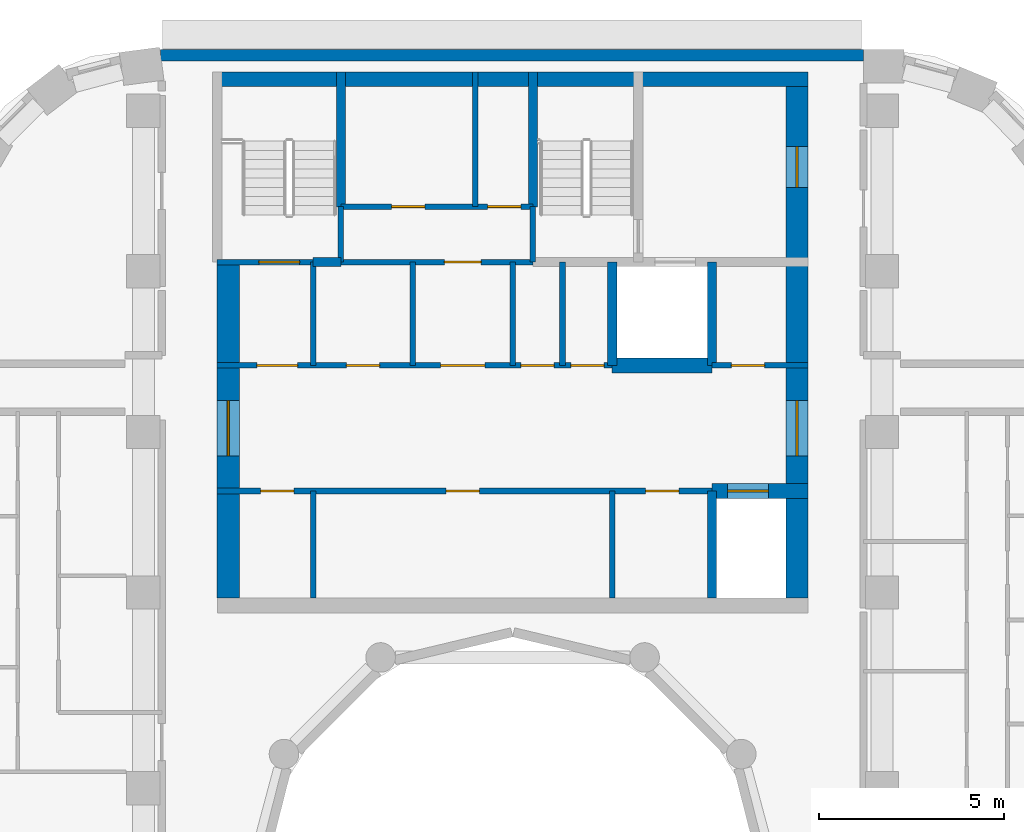
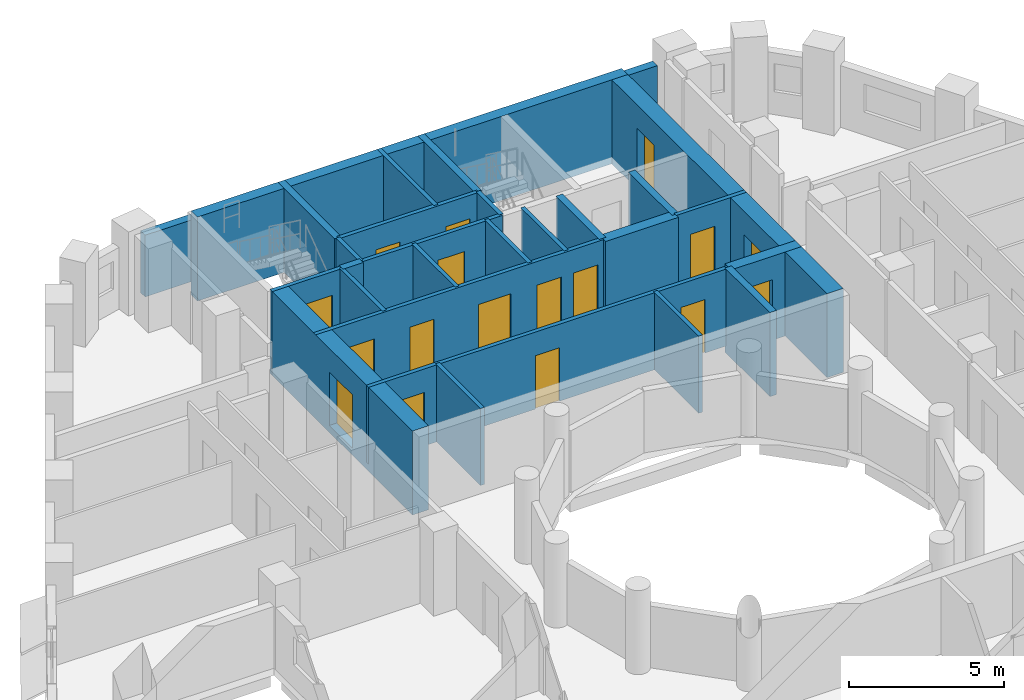
# One storey, part 7 of 12: 27 walls, 17 doors, 17 openings.
"""IFC4 building model written with IfcOpenShell, lengths in metres."""

from ifc_helpers import new_model, si_unit, direction, frame, frame_2d, origin, place, context, subcontext, project, spatial, rectangle, extrude, material, layer, layer_set, type_object, element, fill, save


model = new_model("IFC4")

# Units and contexts
model_context = context("Model", 3, precision=1e-05, world=origin(), true_north=direction((0.0, 1.0)))
body_context = subcontext(model_context, "Body", "Model", "MODEL_VIEW")
ifc_project = project(units=[si_unit("LENGTHUNIT", "METRE"), si_unit("AREAUNIT", "SQUARE_METRE"), si_unit("VOLUMEUNIT", "CUBIC_METRE"), si_unit("PLANEANGLEUNIT", "RADIAN"), si_unit("MASSUNIT", "GRAM", prefix="KILO")], contexts=[model_context])

# Site, building, storey
site_placement = place(None, origin())
site = spatial("IfcSite", under=ifc_project, at=site_placement, CompositionType="ELEMENT")
building_placement = place(site_placement, origin())
building = spatial("IfcBuilding", under=site, at=building_placement, Name="Nakaniwa Court", CompositionType="ELEMENT")
storey_placement = place(building_placement, frame((0.0, 0.0, 232.800048828125)))
storey = spatial("IfcBuildingStorey", under=building, at=storey_placement, Name="L60", CompositionType="ELEMENT", Elevation=232.800048828125)

# Walls
ifc_material_1 = material(Name="Charcoal ceramic cladding")
ifc_layer_1 = layer(ifc_material_1, 0.02, Name="Ceramic cladding")
ifc_material_2 = material(Name="Ventilated air cavity")
ifc_layer_2 = layer(ifc_material_2, 0.04, ventilated=True, Name="Ventilated cavity")
ifc_material_3 = material(Name="Mineral wool insulation")
ifc_layer_3 = layer(ifc_material_3, 0.1, Name="Insulation")
ifc_material_4 = material(Name="Cement bonded sheathing board")
ifc_layer_4 = layer(ifc_material_4, 0.012, Name="Sheathing")
ifc_material_5 = material(Name="Cold-formed galvanised stud frame with mineral wool infill")
ifc_layer_5 = layer(ifc_material_5, 0.1, Name="Stud frame")
ifc_material_6 = material(Name="Fire-rated gypsum plasterboard lining")
ifc_layer_6 = layer(ifc_material_6, 0.028, Name="Lining")
ifc_layer_set_1 = layer_set([ifc_layer_1, ifc_layer_2, ifc_layer_3, ifc_layer_4, ifc_layer_5, ifc_layer_6], Name="Charcoal ceramic faced external wall system")
wall_type_1 = type_object("IfcWallType", Name="Black ceramic faced external wall 300", PredefinedType="SOLIDWALL", material=ifc_layer_set_1)
wall_1_placement = place(storey_placement, frame((89.499267578125, 102.5, 0.0), z_axis=(0.0, 0.0, 1.0), x_axis=(-1.0, 0.0, 0.0)))
element("IfcWall", 1, at=wall_1_placement, inside=storey, type_object=wall_type_1, Name="L60 external wall 08", PredefinedType="SOLIDWALL", context=body_context, shape_type="SweptSolid", body=[
    extrude(rectangle(XDim=19.033447265625, YDim=0.300048828125, at=frame_2d((9.5166015625, 0.0))), origin(), (0.0, 0.0, 1.0), 2.425048828125),
])
ifc_material_7 = material(Name="Blockwork partition", Category="masonry")
ifc_layer_7 = layer(ifc_material_7, 0.14990234375)
ifc_layer_set_2 = layer_set([ifc_layer_7], Name="Blockwork partition")
wall_type_2 = type_object("IfcWallType", Name="Blockwork partition 150", PredefinedType="PARTITIONING", material=ifc_layer_set_2)
wall_2_placement = place(storey_placement, frame((74.60009765625, 87.800048828125, 0.0), z_axis=(0.0, 0.0, 1.0), x_axis=(0.0, 1.0, 0.0)))
element("IfcWall", 2, at=wall_2_placement, inside=storey, type_object=wall_type_2, Name="Partition PW-001", PredefinedType="PARTITIONING", context=body_context, shape_type="SweptSolid", body=[
    extrude(rectangle(XDim=2.89990234375, YDim=0.14990234375, at=frame_2d((1.449951171875, 0.0))), origin(), (0.0, 0.0, 1.0), 3.02490234375),
])
wall_3_placement = place(storey_placement, frame((74.60009765625, 94.10009765625, 0.0), z_axis=(0.0, 0.0, 1.0), x_axis=(0.0, 1.0, 0.0)))
element("IfcWall", 3, at=wall_3_placement, inside=storey, type_object=wall_type_2, Name="Partition PW-002", PredefinedType="PARTITIONING", context=body_context, shape_type="SweptSolid", body=[
    extrude(rectangle(XDim=2.7998046875, YDim=0.14990234375, at=frame_2d((1.39990234375, 0.0))), origin(), (0.0, 0.0, 1.0), 3.02490234375),
])

# Wall, openings, doors
wall_4_placement = place(storey_placement, frame((85.39990234375, 90.699951171875, 0.0), z_axis=(0.0, 0.0, 1.0), x_axis=(-1.0, 0.0, 0.0)))
wall_4 = element("IfcWall", 4, at=wall_4_placement, inside=storey, type_object=wall_type_2, Name="Partition PW-003", PredefinedType="PARTITIONING", context=body_context, shape_type="SweptSolid", body=[
    extrude(rectangle(XDim=13.39990234375, YDim=0.14990234375, at=frame_2d((6.699951171875, 0.0))), origin(), (0.0, 0.0, 1.0), 3.02490234375),
])
opening_1_placement = place(wall_4_placement, frame((11.324951171875, 0.0, 0.0)))
opening_1 = element("IfcOpeningElement", 5, at=opening_1_placement, cuts=wall_4, Name="Opening D-05-01", PredefinedType="OPENING", context=body_context, shape_type="SweptSolid", body=[
    extrude(rectangle(XDim=0.89990234375, YDim=2.10009765625, at=frame_2d((0.449951171875, 1.050048828125))), frame((0.0, 0.0849609375, 0.0), z_axis=(0.0, -1.0, 0.0), x_axis=(1.0, 0.0, 0.0)), (0.0, 0.0, 1.0), 0.169921875),
])
opening_2_placement = place(wall_4_placement, frame((6.300048828125, 0.0, 0.0)))
opening_2 = element("IfcOpeningElement", 6, at=opening_2_placement, cuts=wall_4, Name="Opening D-05-02", PredefinedType="OPENING", context=body_context, shape_type="SweptSolid", body=[
    extrude(rectangle(XDim=0.89990234375, YDim=2.10009765625, at=frame_2d((0.449951171875, 1.050048828125))), frame((0.0, 0.0849609375, 0.0), z_axis=(0.0, -1.0, 0.0), x_axis=(1.0, 0.0, 0.0)), (0.0, 0.0, 1.0), 0.169921875),
])
opening_3_placement = place(wall_4_placement, frame((0.89990234375, 0.0, 0.0)))
opening_3 = element("IfcOpeningElement", 7, at=opening_3_placement, cuts=wall_4, Name="Opening D-05-03", PredefinedType="OPENING", context=body_context, shape_type="SweptSolid", body=[
    extrude(rectangle(XDim=0.89990234375, YDim=2.10009765625, at=frame_2d((0.449951171875, 1.050048828125))), frame((0.0, 0.0849609375, 0.0), z_axis=(0.0, -1.0, 0.0), x_axis=(1.0, 0.0, 0.0)), (0.0, 0.0, 1.0), 0.169921875),
])
ifc_material_8 = material(Name="Fire rated steel door set", Category="steel")
door_type_1 = type_object("IfcDoorType", Name="Service room door 900", OperationType="NOTDEFINED", PredefinedType="DOOR", material=ifc_material_8)
door_1_placement = place(opening_1_placement, origin())
door_1 = element("IfcDoor", 8, at=door_1_placement, inside=storey, type_object=door_type_1, Name="Door D-05-01 L60-001", OperationType="SINGLE_SWING_RIGHT", OverallHeight=2.10009765625, OverallWidth=0.89990234375, PredefinedType="DOOR", context=body_context, shape_type="SweptSolid", body=[
    extrude(rectangle(XDim=0.89990234375, YDim=2.10009765625, at=frame_2d((0.449951171875, 1.050048828125))), frame((0.0, 0.02490234375, 0.0), z_axis=(0.0, -1.0, 0.0), x_axis=(1.0, 0.0, 0.0)), (0.0, 0.0, 1.0), 0.050048828125),
])
fill(opening_1, door_1)
door_2_placement = place(opening_2_placement, origin())
door_2 = element("IfcDoor", 9, at=door_2_placement, inside=storey, type_object=door_type_1, Name="Door D-05-02 L60-002", OperationType="SINGLE_SWING_LEFT", OverallHeight=2.10009765625, OverallWidth=0.89990234375, PredefinedType="DOOR", context=body_context, shape_type="SweptSolid", body=[
    extrude(rectangle(XDim=0.89990234375, YDim=2.10009765625, at=frame_2d((0.449951171875, 1.050048828125))), frame((0.0, 0.02490234375, 0.0), z_axis=(0.0, -1.0, 0.0), x_axis=(1.0, 0.0, 0.0)), (0.0, 0.0, 1.0), 0.050048828125),
])
fill(opening_2, door_2)
door_3_placement = place(opening_3_placement, origin())
door_3 = element("IfcDoor", 10, at=door_3_placement, inside=storey, type_object=door_type_1, Name="Door D-05-03 L60-003", OperationType="SINGLE_SWING_RIGHT", OverallHeight=2.10009765625, OverallWidth=0.89990234375, PredefinedType="DOOR", context=body_context, shape_type="SweptSolid", body=[
    extrude(rectangle(XDim=0.89990234375, YDim=2.10009765625, at=frame_2d((0.449951171875, 1.050048828125))), frame((0.0, 0.02490234375, 0.0), z_axis=(0.0, -1.0, 0.0), x_axis=(1.0, 0.0, 0.0)), (0.0, 0.0, 1.0), 0.050048828125),
])
fill(opening_3, door_3)

# Wall
wall_5_placement = place(storey_placement, frame((82.699951171875, 87.800048828125, 0.0), z_axis=(0.0, 0.0, 1.0), x_axis=(0.0, 1.0, 0.0)))
element("IfcWall", 11, at=wall_5_placement, inside=storey, type_object=wall_type_2, Name="Partition PW-009", PredefinedType="PARTITIONING", context=body_context, shape_type="SweptSolid", body=[
    extrude(rectangle(XDim=2.89990234375, YDim=0.14990234375, at=frame_2d((1.449951171875, 0.0))), origin(), (0.0, 0.0, 1.0), 3.02490234375),
])

# Wall, openings, doors
wall_6_placement = place(storey_placement, frame((72.0, 94.10009765625, 0.0), z_axis=(0.0, 0.0, 1.0), x_axis=(1.0, 0.0, 0.0)))
wall_6 = element("IfcWall", 12, at=wall_6_placement, inside=storey, type_object=wall_type_2, Name="Partition PW-010", PredefinedType="PARTITIONING", context=body_context, shape_type="SweptSolid", body=[
    extrude(rectangle(XDim=10.702880859375, YDim=0.14990234375, at=frame_2d((5.3515625, 0.0))), origin(), (0.0, 0.0, 1.0), 3.02490234375),
])
opening_4_placement = place(wall_6_placement, frame((1.074951171875, 0.0, 0.0)))
opening_4 = element("IfcOpeningElement", 13, at=opening_4_placement, cuts=wall_6, Name="Opening D-08-01", PredefinedType="OPENING", context=body_context, shape_type="SweptSolid", body=[
    extrude(rectangle(XDim=1.10009765625, YDim=2.10009765625, at=frame_2d((0.550048828125, 1.050048828125))), frame((0.0, 0.0849609375, 0.0), z_axis=(0.0, -1.0, 0.0), x_axis=(1.0, 0.0, 0.0)), (0.0, 0.0, 1.0), 0.169921875),
])
opening_5_placement = place(wall_6_placement, frame((3.5, 0.0, 0.0)))
opening_5 = element("IfcOpeningElement", 14, at=opening_5_placement, cuts=wall_6, Name="Opening D-05-04", PredefinedType="OPENING", context=body_context, shape_type="SweptSolid", body=[
    extrude(rectangle(XDim=0.89990234375, YDim=2.10009765625, at=frame_2d((0.449951171875, 1.050048828125))), frame((0.0, 0.0849609375, 0.0), z_axis=(0.0, -1.0, 0.0), x_axis=(1.0, 0.0, 0.0)), (0.0, 0.0, 1.0), 0.169921875),
])
opening_6_placement = place(wall_6_placement, frame((6.050048828125, 0.0, 0.0)))
opening_6 = element("IfcOpeningElement", 15, at=opening_6_placement, cuts=wall_6, Name="Opening D-06-01", PredefinedType="OPENING", context=body_context, shape_type="SweptSolid", body=[
    extrude(rectangle(XDim=1.199951171875, YDim=2.10009765625, at=frame_2d((0.60009765625, 1.050048828125))), frame((0.0, 0.0849609375, 0.0), z_axis=(0.0, -1.0, 0.0), x_axis=(1.0, 0.0, 0.0)), (0.0, 0.0, 1.0), 0.169921875),
])
opening_7_placement = place(wall_6_placement, frame((8.22509765625, 0.0, 0.0)))
opening_7 = element("IfcOpeningElement", 16, at=opening_7_placement, cuts=wall_6, Name="Opening D-05-05", PredefinedType="OPENING", context=body_context, shape_type="SweptSolid", body=[
    extrude(rectangle(XDim=0.89990234375, YDim=2.10009765625, at=frame_2d((0.449951171875, 1.050048828125))), frame((0.0, 0.0849609375, 0.0), z_axis=(0.0, -1.0, 0.0), x_axis=(1.0, 0.0, 0.0)), (0.0, 0.0, 1.0), 0.169921875),
])
opening_8_placement = place(wall_6_placement, frame((9.574951171875, 0.0, 0.0)))
opening_8 = element("IfcOpeningElement", 17, at=opening_8_placement, cuts=wall_6, Name="Opening D-05-06", PredefinedType="OPENING", context=body_context, shape_type="SweptSolid", body=[
    extrude(rectangle(XDim=0.89990234375, YDim=2.10009765625, at=frame_2d((0.449951171875, 1.050048828125))), frame((0.0, 0.0849609375, 0.0), z_axis=(0.0, -1.0, 0.0), x_axis=(1.0, 0.0, 0.0)), (0.0, 0.0, 1.0), 0.169921875),
])
ifc_material_9 = material(Name="Fire rated steel double door set", Category="steel")
door_type_2 = type_object("IfcDoorType", Name="Service passage double door 1200", OperationType="NOTDEFINED", PredefinedType="DOOR", material=ifc_material_9)
door_4_placement = place(opening_6_placement, origin())
door_4 = element("IfcDoor", 18, at=door_4_placement, inside=storey, type_object=door_type_2, Name="Door D-06-01 L60-006", OperationType="DOUBLE_DOOR_SINGLE_SWING", OverallHeight=2.10009765625, OverallWidth=1.199951171875, PredefinedType="DOOR", context=body_context, shape_type="SweptSolid", body=[
    extrude(rectangle(XDim=1.199951171875, YDim=2.10009765625, at=frame_2d((0.60009765625, 1.050048828125))), frame((0.0, 0.02490234375, 0.0), z_axis=(0.0, -1.0, 0.0), x_axis=(1.0, 0.0, 0.0)), (0.0, 0.0, 1.0), 0.050048828125),
])
fill(opening_6, door_4)
door_5_placement = place(opening_5_placement, origin())
door_5 = element("IfcDoor", 19, at=door_5_placement, inside=storey, type_object=door_type_1, Name="Door D-05-04 L60-005", OperationType="SINGLE_SWING_RIGHT", OverallHeight=2.10009765625, OverallWidth=0.89990234375, PredefinedType="DOOR", context=body_context, shape_type="SweptSolid", body=[
    extrude(rectangle(XDim=0.89990234375, YDim=2.10009765625, at=frame_2d((0.449951171875, 1.050048828125))), frame((0.0, 0.02490234375, 0.0), z_axis=(0.0, -1.0, 0.0), x_axis=(1.0, 0.0, 0.0)), (0.0, 0.0, 1.0), 0.050048828125),
])
fill(opening_5, door_5)
door_6_placement = place(opening_7_placement, origin())
door_6 = element("IfcDoor", 20, at=door_6_placement, inside=storey, type_object=door_type_1, Name="Door D-05-05 L60-007", OperationType="SINGLE_SWING_RIGHT", OverallHeight=2.10009765625, OverallWidth=0.89990234375, PredefinedType="DOOR", context=body_context, shape_type="SweptSolid", body=[
    extrude(rectangle(XDim=0.89990234375, YDim=2.10009765625, at=frame_2d((0.449951171875, 1.050048828125))), frame((0.0, 0.02490234375, 0.0), z_axis=(0.0, -1.0, 0.0), x_axis=(1.0, 0.0, 0.0)), (0.0, 0.0, 1.0), 0.050048828125),
])
fill(opening_7, door_6)
door_7_placement = place(opening_8_placement, origin())
door_7 = element("IfcDoor", 21, at=door_7_placement, inside=storey, type_object=door_type_1, Name="Door D-05-06 L60-008", OperationType="SINGLE_SWING_LEFT", OverallHeight=2.10009765625, OverallWidth=0.89990234375, PredefinedType="DOOR", context=body_context, shape_type="SweptSolid", body=[
    extrude(rectangle(XDim=0.89990234375, YDim=2.10009765625, at=frame_2d((0.449951171875, 1.050048828125))), frame((0.0, 0.02490234375, 0.0), z_axis=(0.0, -1.0, 0.0), x_axis=(1.0, 0.0, 0.0)), (0.0, 0.0, 1.0), 0.050048828125),
])
fill(opening_8, door_7)
door_type_3 = type_object("IfcDoorType", Name="Stair lobby door 1100", OperationType="NOTDEFINED", PredefinedType="DOOR", material=ifc_material_8)
door_8_placement = place(opening_4_placement, origin())
door_8 = element("IfcDoor", 22, at=door_8_placement, inside=storey, type_object=door_type_3, Name="Door D-08-01 L60-004", OperationType="SINGLE_SWING_LEFT", OverallHeight=2.10009765625, OverallWidth=1.10009765625, PredefinedType="DOOR", context=body_context, shape_type="SweptSolid", body=[
    extrude(rectangle(XDim=1.10009765625, YDim=2.10009765625, at=frame_2d((0.550048828125, 1.050048828125))), frame((0.0, 0.02490234375, 0.0), z_axis=(0.0, -1.0, 0.0), x_axis=(1.0, 0.0, 0.0)), (0.0, 0.0, 1.0), 0.050048828125),
])
fill(opening_4, door_8)

# Wall, opening, door
wall_7_placement = place(storey_placement, frame((85.39697265625, 94.10009765625, 0.0), z_axis=(0.0, 0.0, 1.0), x_axis=(1.0, 0.0, 0.0)))
wall_7 = element("IfcWall", 23, at=wall_7_placement, inside=storey, type_object=wall_type_2, Name="Partition PW-011", PredefinedType="PARTITIONING", context=body_context, shape_type="SweptSolid", body=[
    extrude(rectangle(XDim=2.60302734375, YDim=0.14990234375, at=frame_2d((1.301513671875, 0.0))), origin(), (0.0, 0.0, 1.0), 3.02490234375),
])
opening_9_placement = place(wall_7_placement, frame((0.528076171875, 0.0, 0.0)))
opening_9 = element("IfcOpeningElement", 24, at=opening_9_placement, cuts=wall_7, Name="Opening D-05-07", PredefinedType="OPENING", context=body_context, shape_type="SweptSolid", body=[
    extrude(rectangle(XDim=0.89990234375, YDim=2.10009765625, at=frame_2d((0.449951171875, 1.050048828125))), frame((0.0, 0.0849609375, 0.0), z_axis=(0.0, -1.0, 0.0), x_axis=(1.0, 0.0, 0.0)), (0.0, 0.0, 1.0), 0.169921875),
])
door_9_placement = place(opening_9_placement, origin())
door_9 = element("IfcDoor", 25, at=door_9_placement, inside=storey, type_object=door_type_1, Name="Door D-05-07 L60-009", OperationType="SINGLE_SWING_RIGHT", OverallHeight=2.10009765625, OverallWidth=0.89990234375, PredefinedType="DOOR", context=body_context, shape_type="SweptSolid", body=[
    extrude(rectangle(XDim=0.89990234375, YDim=2.10009765625, at=frame_2d((0.449951171875, 1.050048828125))), frame((0.0, 0.02490234375, 0.0), z_axis=(0.0, -1.0, 0.0), x_axis=(1.0, 0.0, 0.0)), (0.0, 0.0, 1.0), 0.050048828125),
])
fill(opening_9, door_9)

# Wall
wall_8_placement = place(storey_placement, frame((77.300048828125, 94.10009765625, 0.0), z_axis=(0.0, 0.0, 1.0), x_axis=(0.0, 1.0, 0.0)))
element("IfcWall", 26, at=wall_8_placement, inside=storey, type_object=wall_type_2, Name="Partition PW-014", PredefinedType="PARTITIONING", context=body_context, shape_type="SweptSolid", body=[
    extrude(rectangle(XDim=2.7998046875, YDim=0.14990234375, at=frame_2d((1.39990234375, 0.0))), origin(), (0.0, 0.0, 1.0), 3.02490234375),
])

# Wall, opening, door
wall_9_placement = place(storey_placement, frame((75.346923828125, 96.89990234375, 0.0), z_axis=(0.0, 0.0, 1.0), x_axis=(1.0, 0.0, 0.0)))
wall_9 = element("IfcWall", 27, at=wall_9_placement, inside=storey, type_object=wall_type_2, Name="Partition PW-017", PredefinedType="PARTITIONING", context=body_context, shape_type="SweptSolid", body=[
    extrude(rectangle(XDim=5.2060546875, YDim=0.14990234375, at=frame_2d((2.60302734375, 0.0))), origin(), (0.0, 0.0, 1.0), 3.02490234375),
])
opening_10_placement = place(wall_9_placement, frame((2.802978515625, 0.0, 0.0)))
opening_10 = element("IfcOpeningElement", 28, at=opening_10_placement, cuts=wall_9, Name="Opening D-23-01", PredefinedType="OPENING", context=body_context, shape_type="SweptSolid", body=[
    extrude(rectangle(XDim=1.0, YDim=2.10009765625, at=frame_2d((0.5, 1.050048828125))), frame((0.0, 0.0849609375, 0.0), z_axis=(0.0, -1.0, 0.0), x_axis=(1.0, 0.0, 0.0)), (0.0, 0.0, 1.0), 0.169921875),
])
door_type_4 = type_object("IfcDoorType", Name="Service room door 1000", OperationType="NOTDEFINED", PredefinedType="DOOR", material=ifc_material_8)
door_10_placement = place(opening_10_placement, origin())
door_10 = element("IfcDoor", 29, at=door_10_placement, inside=storey, type_object=door_type_4, Name="Door D-23-01 L60-010", OperationType="SINGLE_SWING_LEFT", OverallHeight=2.10009765625, OverallWidth=1.0, PredefinedType="DOOR", context=body_context, shape_type="SweptSolid", body=[
    extrude(rectangle(XDim=1.0, YDim=2.10009765625, at=frame_2d((0.5, 1.050048828125))), frame((0.0, 0.02490234375, 0.0), z_axis=(0.0, -1.0, 0.0), x_axis=(1.0, 0.0, 0.0)), (0.0, 0.0, 1.0), 0.050048828125),
])
fill(opening_10, door_10)

# Walls
for number, where, z_axis, x_axis, name in (
    (30, (80.0, 94.10009765625, 0.0), (0.0, 0.0, 1.0), (0.0, 1.0, 0.0), "Partition PW-018"),
    (31, (81.35009765625, 94.10009765625, 0.0), (0.0, 0.0, 1.0), (0.0, 1.0, 0.0), "Partition PW-019"),
):
    element("IfcWall", number, at=place(storey_placement, frame(where, z_axis=z_axis, x_axis=x_axis)), inside=storey, type_object=wall_type_2, Name=name, PredefinedType="PARTITIONING", context=body_context, shape_type="SweptSolid", body=[
        extrude(rectangle(XDim=2.7998046875, YDim=0.14990234375, at=frame_2d((1.39990234375, 0.0))), origin(), (0.0, 0.0, 1.0), 3.02490234375),
    ])

# Wall, openings, doors
wall_10_placement = place(storey_placement, frame((75.35009765625, 98.39990234375, 0.0), z_axis=(0.0, 0.0, 1.0), x_axis=(1.0, 0.0, 0.0)))
wall_10 = element("IfcWall", 32, at=wall_10_placement, inside=storey, type_object=wall_type_2, Name="Partition PW-027", PredefinedType="PARTITIONING", context=body_context, shape_type="SweptSolid", body=[
    extrude(rectangle(XDim=5.199951171875, YDim=0.14990234375, at=frame_2d((2.60009765625, 0.0))), origin(), (0.0, 0.0, 1.0), 3.02490234375),
])
opening_11_placement = place(wall_10_placement, frame((1.3701171875, 0.0, 0.0)))
opening_11 = element("IfcOpeningElement", 33, at=opening_11_placement, cuts=wall_10, Name="Opening D-05-08", PredefinedType="OPENING", context=body_context, shape_type="SweptSolid", body=[
    extrude(rectangle(XDim=0.89990234375, YDim=2.10009765625, at=frame_2d((0.449951171875, 1.050048828125))), frame((0.0, 0.0849609375, 0.0), z_axis=(0.0, -1.0, 0.0), x_axis=(1.0, 0.0, 0.0)), (0.0, 0.0, 1.0), 0.169921875),
])
opening_12_placement = place(wall_10_placement, frame((3.969970703125, 0.0, 0.0)))
opening_12 = element("IfcOpeningElement", 34, at=opening_12_placement, cuts=wall_10, Name="Opening D-05-09", PredefinedType="OPENING", context=body_context, shape_type="SweptSolid", body=[
    extrude(rectangle(XDim=0.89990234375, YDim=2.10009765625, at=frame_2d((0.449951171875, 1.050048828125))), frame((0.0, 0.0849609375, 0.0), z_axis=(0.0, -1.0, 0.0), x_axis=(1.0, 0.0, 0.0)), (0.0, 0.0, 1.0), 0.169921875),
])
door_11_placement = place(opening_11_placement, origin())
door_11 = element("IfcDoor", 35, at=door_11_placement, inside=storey, type_object=door_type_1, Name="Door D-05-08 L60-011", OperationType="SINGLE_SWING_RIGHT", OverallHeight=2.10009765625, OverallWidth=0.89990234375, PredefinedType="DOOR", context=body_context, shape_type="SweptSolid", body=[
    extrude(rectangle(XDim=0.89990234375, YDim=2.10009765625, at=frame_2d((0.449951171875, 1.050048828125))), frame((0.0, 0.02490234375, 0.0), z_axis=(0.0, -1.0, 0.0), x_axis=(1.0, 0.0, 0.0)), (0.0, 0.0, 1.0), 0.050048828125),
])
fill(opening_11, door_11)
door_12_placement = place(opening_12_placement, origin())
door_12 = element("IfcDoor", 36, at=door_12_placement, inside=storey, type_object=door_type_1, Name="Door D-05-09 L60-012", OperationType="SINGLE_SWING_LEFT", OverallHeight=2.10009765625, OverallWidth=0.89990234375, PredefinedType="DOOR", context=body_context, shape_type="SweptSolid", body=[
    extrude(rectangle(XDim=0.89990234375, YDim=2.10009765625, at=frame_2d((0.449951171875, 1.050048828125))), frame((0.0, 0.02490234375, 0.0), z_axis=(0.0, -1.0, 0.0), x_axis=(1.0, 0.0, 0.0)), (0.0, 0.0, 1.0), 0.050048828125),
])
fill(opening_12, door_12)

# Wall
wall_11_placement = place(storey_placement, frame((78.989990234375, 98.39990234375, 0.0), z_axis=(0.0, 0.0, 1.0), x_axis=(0.0, 1.0, 0.0)))
element("IfcWall", 37, at=wall_11_placement, inside=storey, type_object=wall_type_2, Name="Partition PW-028", PredefinedType="PARTITIONING", context=body_context, shape_type="SweptSolid", body=[
    extrude(rectangle(XDim=3.650146484375, YDim=0.14990234375, at=frame_2d((1.8251953125, 0.0))), origin(), (0.0, 0.0, 1.0), 3.02490234375),
])

# Wall, opening, door
ifc_material_10 = material(Name="Concrete C80/100", Category="concrete")
ifc_layer_8 = layer(ifc_material_10, 0.60009765625)
ifc_layer_set_3 = layer_set([ifc_layer_8], Name="Concrete C80/100")
wall_type_3 = type_object("IfcWallType", Name="Concrete core side wall 600 C80", PredefinedType="SHEAR", material=ifc_layer_set_3)
wall_12_placement = place(storey_placement, frame((72.300048828125, 87.800048828125, -0.275146484375), z_axis=(0.0, 0.0, 1.0), x_axis=(0.0, 1.0, 0.0)))
wall_12 = element("IfcWall", 38, at=wall_12_placement, inside=storey, type_object=wall_type_3, Name="Core wall SW-04", PredefinedType="SHEAR", context=body_context, shape_type="SweptSolid", body=[
    extrude(rectangle(XDim=9.099853515625, YDim=0.60009765625, at=frame_2d((4.5498046875, 0.0))), origin(), (0.0, 0.0, 1.0), 3.300048828125),
])
opening_13_placement = place(wall_12_placement, frame((3.85009765625, 0.0, 0.27490234375)))
opening_13 = element("IfcOpeningElement", 39, at=opening_13_placement, cuts=wall_12, Name="Opening D-07-02", PredefinedType="OPENING", context=body_context, shape_type="SweptSolid", body=[
    extrude(rectangle(XDim=1.5, YDim=2.10009765625, at=frame_2d((0.75, 1.050048828125))), frame((0.0, 0.31005859375, 0.0), z_axis=(0.0, -1.0, 0.0), x_axis=(1.0, 0.0, 0.0)), (0.0, 0.0, 1.0), 0.6201171875),
])
ifc_material_11 = material(Name="Glazed fire rated steel double door set", Category="steel")
door_type_5 = type_object("IfcDoorType", Name="Lobby double door 1500", OperationType="NOTDEFINED", PredefinedType="DOOR", material=ifc_material_11)
door_13_placement = place(opening_13_placement, origin())
door_13 = element("IfcDoor", 40, at=door_13_placement, inside=storey, type_object=door_type_5, Name="Door D-07-02 L60-063", OperationType="DOUBLE_DOOR_SINGLE_SWING", OverallHeight=2.10009765625, OverallWidth=1.5, PredefinedType="DOOR", context=body_context, shape_type="SweptSolid", body=[
    extrude(rectangle(XDim=1.5, YDim=2.10009765625, at=frame_2d((0.75, 1.050048828125))), frame((0.0, 0.02490234375, 0.0), z_axis=(0.0, -1.0, 0.0), x_axis=(1.0, 0.0, 0.0)), (0.0, 0.0, 1.0), 0.050048828125),
])
fill(opening_13, door_13)

# Wall, openings, doors
wall_13_placement = place(storey_placement, frame((87.699951171875, 102.050048828125, -0.275146484375), z_axis=(0.0, 0.0, 1.0), x_axis=(0.0, -1.0, 0.0)))
wall_13 = element("IfcWall", 41, at=wall_13_placement, inside=storey, type_object=wall_type_3, Name="Core wall SW-08", PredefinedType="SHEAR", context=body_context, shape_type="SweptSolid", body=[
    extrude(rectangle(XDim=14.25, YDim=0.60009765625, at=frame_2d((7.125, 0.0))), origin(), (0.0, 0.0, 1.0), 3.300048828125),
])
opening_14_placement = place(wall_13_placement, frame((8.89990234375, 0.0, 0.27490234375)))
opening_14 = element("IfcOpeningElement", 42, at=opening_14_placement, cuts=wall_13, Name="Opening D-07-01", PredefinedType="OPENING", context=body_context, shape_type="SweptSolid", body=[
    extrude(rectangle(XDim=1.5, YDim=2.10009765625, at=frame_2d((0.75, 1.050048828125))), frame((0.0, 0.31005859375, 0.0), z_axis=(0.0, -1.0, 0.0), x_axis=(1.0, 0.0, 0.0)), (0.0, 0.0, 1.0), 0.6201171875),
])
opening_15_placement = place(wall_13_placement, frame((2.02490234375, 0.0, 0.27490234375)))
opening_15 = element("IfcOpeningElement", 43, at=opening_15_placement, cuts=wall_13, Name="Opening D-10-01", PredefinedType="OPENING", context=body_context, shape_type="SweptSolid", body=[
    extrude(rectangle(XDim=1.10009765625, YDim=2.10009765625, at=frame_2d((0.550048828125, 1.050048828125))), frame((0.0, 0.31005859375, 0.0), z_axis=(0.0, -1.0, 0.0), x_axis=(1.0, 0.0, 0.0)), (0.0, 0.0, 1.0), 0.6201171875),
])
door_type_6 = type_object("IfcDoorType", Name="Firefighting lobby door 1100", OperationType="NOTDEFINED", PredefinedType="DOOR", material=ifc_material_8)
door_14_placement = place(opening_15_placement, origin())
door_14 = element("IfcDoor", 44, at=door_14_placement, inside=storey, type_object=door_type_6, Name="Door D-10-01 L60-064", OperationType="SINGLE_SWING_LEFT", OverallHeight=2.10009765625, OverallWidth=1.10009765625, PredefinedType="DOOR", context=body_context, shape_type="SweptSolid", body=[
    extrude(rectangle(XDim=1.10009765625, YDim=2.10009765625, at=frame_2d((0.550048828125, 1.050048828125))), frame((0.0, 0.02490234375, 0.0), z_axis=(0.0, -1.0, 0.0), x_axis=(1.0, 0.0, 0.0)), (0.0, 0.0, 1.0), 0.050048828125),
])
fill(opening_15, door_14)
door_15_placement = place(opening_14_placement, origin())
door_15 = element("IfcDoor", 45, at=door_15_placement, inside=storey, type_object=door_type_5, Name="Door D-07-01 L60-062", OperationType="DOUBLE_DOOR_SINGLE_SWING", OverallHeight=2.10009765625, OverallWidth=1.5, PredefinedType="DOOR", context=body_context, shape_type="SweptSolid", body=[
    extrude(rectangle(XDim=1.5, YDim=2.10009765625, at=frame_2d((0.75, 1.050048828125))), frame((0.0, 0.02490234375, 0.0), z_axis=(0.0, -1.0, 0.0), x_axis=(1.0, 0.0, 0.0)), (0.0, 0.0, 1.0), 0.050048828125),
])
fill(opening_14, door_15)

# Wall, opening, door
ifc_layer_9 = layer(ifc_material_10, 0.39990234375)
ifc_layer_set_4 = layer_set([ifc_layer_9], Name="Concrete C80/100")
wall_type_4 = type_object("IfcWallType", Name="Concrete core spine wall 400 C80", PredefinedType="SHEAR", material=ifc_layer_set_4)
wall_14_placement = place(storey_placement, frame((85.39990234375, 90.699951171875, -0.275146484375), z_axis=(0.0, 0.0, 1.0), x_axis=(1.0, 0.0, 0.0)))
wall_14 = element("IfcWall", 46, at=wall_14_placement, inside=storey, type_object=wall_type_4, Name="Core wall SW-07", PredefinedType="SHEAR", context=body_context, shape_type="SweptSolid", body=[
    extrude(rectangle(XDim=2.60009765625, YDim=0.39990234375, at=frame_2d((1.300048828125, 0.0))), origin(), (0.0, 0.0, 1.0), 3.300048828125),
])
opening_16_placement = place(wall_14_placement, frame((0.425048828125, 0.0, 0.27490234375)))
opening_16 = element("IfcOpeningElement", 47, at=opening_16_placement, cuts=wall_14, Name="Opening LD01", PredefinedType="OPENING", context=body_context, shape_type="SweptSolid", body=[
    extrude(rectangle(XDim=1.10009765625, YDim=2.10009765625, at=frame_2d((0.550048828125, 1.050048828125))), frame((0.0, 0.2099609375, 0.0), z_axis=(0.0, -1.0, 0.0), x_axis=(1.0, 0.0, 0.0)), (0.0, 0.0, 1.0), 0.419921875),
])
ifc_material_12 = material(Name="Stainless steel sliding lift landing door", Category="steel")
door_type_7 = type_object("IfcDoorType", Name="Lift landing door 1100", OperationType="NOTDEFINED", PredefinedType="DOOR", material=ifc_material_12)
door_16_placement = place(opening_16_placement, origin())
door_16 = element("IfcDoor", 48, at=door_16_placement, inside=storey, type_object=door_type_7, Name="Lift landing door LD01 L60-001", OperationType="SLIDING_TO_LEFT", OverallHeight=2.10009765625, OverallWidth=1.10009765625, PredefinedType="DOOR", context=body_context, shape_type="SweptSolid", body=[
    extrude(rectangle(XDim=1.10009765625, YDim=2.10009765625, at=frame_2d((0.550048828125, 1.050048828125))), frame((0.0, 0.02490234375, 0.0), z_axis=(0.0, -1.0, 0.0), x_axis=(1.0, 0.0, 0.0)), (0.0, 0.0, 1.0), 0.050048828125),
])
fill(opening_16, door_16)

# Wall
wall_15_placement = place(storey_placement, frame((82.697021484375, 94.10009765625, -0.275146484375), z_axis=(0.0, 0.0, 1.0), x_axis=(1.0, 0.0, 0.0)))
element("IfcWall", 49, at=wall_15_placement, inside=storey, type_object=wall_type_4, Name="Core wall SW-12", PredefinedType="SHEAR", context=body_context, shape_type="SweptSolid", body=[
    extrude(rectangle(XDim=2.7060546875, YDim=0.39990234375, at=frame_2d((1.35302734375, 0.0))), origin(), (0.0, 0.0, 1.0), 3.300048828125),
])

# Wall, opening, door
ifc_layer_10 = layer(ifc_material_10, 0.14990234375)
ifc_layer_set_5 = layer_set([ifc_layer_10], Name="Concrete C80/100")
wall_type_5 = type_object("IfcWallType", Name="Concrete core wall 150 C80", PredefinedType="SHEAR", material=ifc_layer_set_5)
wall_16_placement = place(storey_placement, frame((74.60009765625, 96.89990234375, -0.275146484375), z_axis=(0.0, 0.0, 1.0), x_axis=(-1.0, 0.0, 0.0)))
wall_16 = element("IfcWall", 50, at=wall_16_placement, inside=storey, type_object=wall_type_5, Name="Core wall SW-13", PredefinedType="SHEAR", context=body_context, shape_type="SweptSolid", body=[
    extrude(rectangle(XDim=2.60009765625, YDim=0.14990234375, at=frame_2d((1.300048828125, 0.0))), origin(), (0.0, 0.0, 1.0), 3.300048828125),
])
opening_17_placement = place(wall_16_placement, frame((0.3701171875, 0.0, 0.27490234375)))
opening_17 = element("IfcOpeningElement", 51, at=opening_17_placement, cuts=wall_16, Name="Opening D-09-01", PredefinedType="OPENING", context=body_context, shape_type="SweptSolid", body=[
    extrude(rectangle(XDim=1.10009765625, YDim=2.10009765625, at=frame_2d((0.550048828125, 1.050048828125))), frame((0.0, 0.0849609375, 0.0), z_axis=(0.0, -1.0, 0.0), x_axis=(1.0, 0.0, 0.0)), (0.0, 0.0, 1.0), 0.169921875),
])
door_type_8 = type_object("IfcDoorType", Name="Stair door 1100", OperationType="NOTDEFINED", PredefinedType="DOOR", material=ifc_material_8)
door_17_placement = place(opening_17_placement, origin())
door_17 = element("IfcDoor", 52, at=door_17_placement, inside=storey, type_object=door_type_8, Name="Door D-09-01 L60-013", OperationType="SINGLE_SWING_LEFT", OverallHeight=2.10009765625, OverallWidth=1.10009765625, PredefinedType="DOOR", context=body_context, shape_type="SweptSolid", body=[
    extrude(rectangle(XDim=1.10009765625, YDim=2.10009765625, at=frame_2d((0.550048828125, 1.050048828125))), frame((0.0, 0.02490234375, 0.0), z_axis=(0.0, -1.0, 0.0), x_axis=(1.0, 0.0, 0.0)), (0.0, 0.0, 1.0), 0.050048828125),
])
fill(opening_17, door_17)

# Walls
for number, where, z_axis, x_axis, name in (
    (53, (75.35009765625, 96.89990234375, -0.275146484375), (0.0, 0.0, 1.0), (0.0, 1.0, 0.0), "Core wall SW-21"),
    (54, (80.550048828125, 96.89990234375, -0.275146484375), (0.0, 0.0, 1.0), (0.0, 1.0, 0.0), "Core wall SW-25"),
):
    element("IfcWall", number, at=place(storey_placement, frame(where, z_axis=z_axis, x_axis=x_axis)), inside=storey, type_object=wall_type_5, Name=name, PredefinedType="SHEAR", context=body_context, shape_type="SweptSolid", body=[
        extrude(rectangle(XDim=1.503173828125, YDim=0.14990234375, at=frame_2d((0.75146484375, 0.0))), origin(), (0.0, 0.0, 1.0), 3.300048828125),
    ])
ifc_layer_11 = layer(ifc_material_10, 0.39990234375)
ifc_layer_set_6 = layer_set([ifc_layer_11], Name="Concrete C80/100")
wall_type_6 = type_object("IfcWallType", Name="Concrete core wall 400 C80", PredefinedType="SHEAR", material=ifc_layer_set_6)
wall_17_placement = place(storey_placement, frame((72.00390625, 101.85009765625, -0.275146484375), z_axis=(0.0, 0.0, 1.0), x_axis=(1.0, 0.0, 0.0)))
element("IfcWall", 55, at=wall_17_placement, inside=storey, type_object=wall_type_6, Name="Core wall SW-121", PredefinedType="SHEAR", context=body_context, shape_type="SweptSolid", body=[
    extrude(rectangle(XDim=15.9921875, YDim=0.39990234375, at=frame_2d((7.99609375, 0.0))), origin(), (0.0, 0.0, 1.0), 3.300048828125),
])
ifc_layer_12 = layer(ifc_material_10, 0.25)
ifc_layer_set_7 = layer_set([ifc_layer_12], Name="Concrete C80/100")
wall_type_7 = type_object("IfcWallType", Name="Concrete shaft wall 250 C80", PredefinedType="SHEAR", material=ifc_layer_set_7)
wall_18_placement = place(storey_placement, frame((85.39990234375, 87.800048828125, -0.275146484375), z_axis=(0.0, 0.0, 1.0), x_axis=(0.0, 1.0, 0.0)))
element("IfcWall", 56, at=wall_18_placement, inside=storey, type_object=wall_type_7, Name="Core wall SW-05", PredefinedType="SHEAR", context=body_context, shape_type="SweptSolid", body=[
    extrude(rectangle(XDim=2.89990234375, YDim=0.25, at=frame_2d((1.449951171875, 0.0))), origin(), (0.0, 0.0, 1.0), 3.300048828125),
])
wall_19_placement = place(storey_placement, frame((85.39990234375, 94.10009765625, -0.275146484375), z_axis=(0.0, 0.0, 1.0), x_axis=(0.0, 1.0, 0.0)))
element("IfcWall", 57, at=wall_19_placement, inside=storey, type_object=wall_type_7, Name="Core wall SW-06", PredefinedType="SHEAR", context=body_context, shape_type="SweptSolid", body=[
    extrude(rectangle(XDim=2.7998046875, YDim=0.25, at=frame_2d((1.39990234375, 0.0))), origin(), (0.0, 0.0, 1.0), 3.300048828125),
])
wall_20_placement = place(storey_placement, frame((74.60009765625, 96.89990234375, -0.275146484375), z_axis=(0.0, 0.0, 1.0), x_axis=(1.0, 0.0, 0.0)))
element("IfcWall", 58, at=wall_20_placement, inside=storey, type_object=wall_type_7, Name="Core wall SW-15", PredefinedType="SHEAR", context=body_context, shape_type="SweptSolid", body=[
    extrude(rectangle(XDim=0.7529296875, YDim=0.25, at=frame_2d((0.37646484375, 0.0))), origin(), (0.0, 0.0, 1.0), 3.300048828125),
])
wall_21_placement = place(storey_placement, frame((82.699951171875, 94.10009765625, -0.275146484375), z_axis=(0.0, 0.0, 1.0), x_axis=(0.0, 1.0, 0.0)))
element("IfcWall", 59, at=wall_21_placement, inside=storey, type_object=wall_type_7, Name="Core wall SW-20", PredefinedType="SHEAR", context=body_context, shape_type="SweptSolid", body=[
    extrude(rectangle(XDim=2.7998046875, YDim=0.25, at=frame_2d((1.39990234375, 0.0))), origin(), (0.0, 0.0, 1.0), 3.300048828125),
])
for number, where, z_axis, x_axis, name in (
    (60, (75.35009765625, 98.39697265625, -0.275146484375), (0.0, 0.0, 1.0), (0.0, 1.0, 0.0), "Core wall SW-22"),
    (61, (80.550048828125, 98.39697265625, -0.275146484375), (0.0, 0.0, 1.0), (0.0, 1.0, 0.0), "Core wall SW-26"),
):
    element("IfcWall", number, at=place(storey_placement, frame(where, z_axis=z_axis, x_axis=x_axis)), inside=storey, type_object=wall_type_7, Name=name, PredefinedType="SHEAR", context=body_context, shape_type="SweptSolid", body=[
        extrude(rectangle(XDim=3.653076171875, YDim=0.25, at=frame_2d((1.82666015625, 0.0))), origin(), (0.0, 0.0, 1.0), 3.300048828125),
    ])

save(model, "model.ifc")
